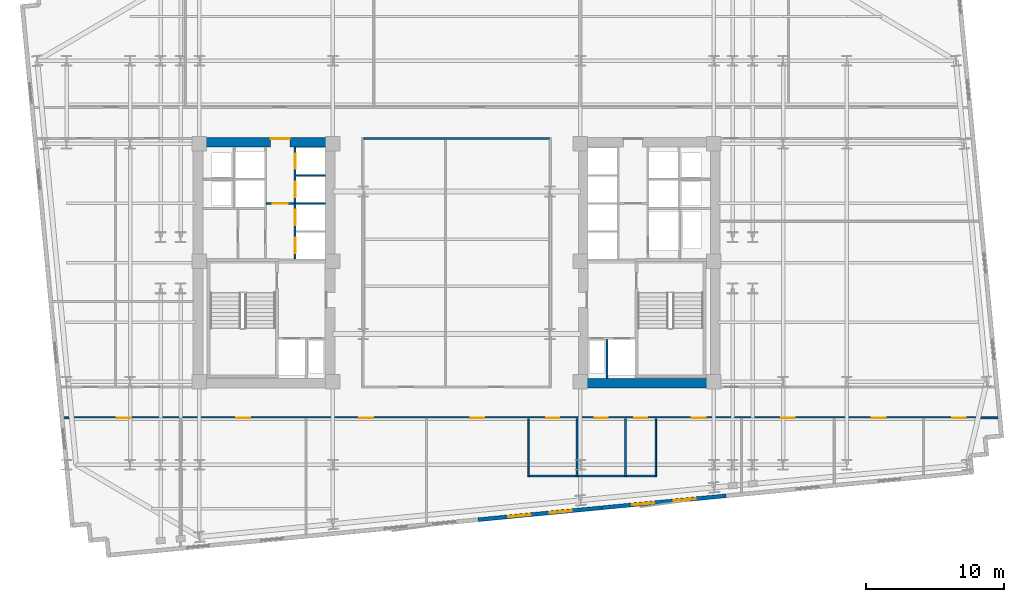
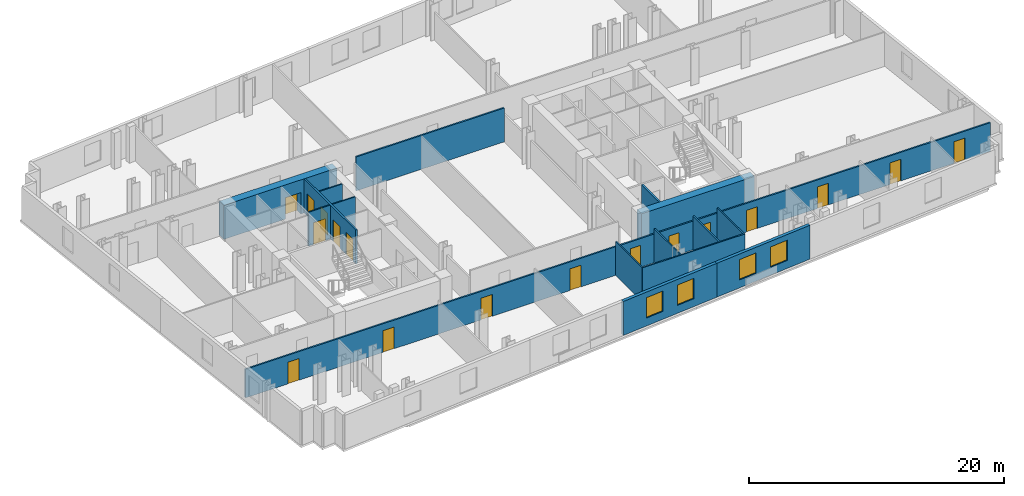
# One storey, part 5 of 10: 17 doors, 16 walls, 4 windows, 21 openings.
"""IFC4 building model written with IfcOpenShell, lengths in metres."""

import ifcopenshell
import ifcopenshell.guid

model = None  # the IFC model being written
_history = None  # IfcOwnerHistory: only IFC2X3 demands one
_inside = {}  # id of a spatial element -> (the spatial element, [elements in it])
_under = {}  # id of a project, library or spatial element -> (it, [spatial elements below it])
_declared = {}  # id of a project -> (the project, [libraries it declares])
_typed = {}  # id of a type object -> (the type object, [elements of that type])
_made_of = {}  # id of a material, layer set ... -> (it, [elements and type objects made of it])


def new_model(schema):
    """Start an empty IFC model of exactly this schema.

    Asked for "IFC4X3", IfcOpenShell would pick the latest addendum, in which some entities
    have other attributes; the version numbers below select the first issue.
    IFC2X3 requires an IfcOwnerHistory on every rooted entity: one is made here for all.
    """
    global model, _history
    if schema == "IFC4X3":
        model = ifcopenshell.file(schema_version=(4, 3, 0, 0))
    else:
        model = ifcopenshell.file(schema=schema)
    _inside.clear()
    _under.clear()
    _declared.clear()
    _typed.clear()
    _made_of.clear()
    _history = None
    if model.schema == "IFC2X3":
        org = make("IfcOrganization", Name="unknown")
        user = make(
            "IfcPersonAndOrganization",
            ThePerson=make("IfcPerson", FamilyName="unknown"),
            TheOrganization=org,
        )
        app = make(
            "IfcApplication",
            ApplicationDeveloper=org,
            Version="unknown",
            ApplicationFullName="unknown",
            ApplicationIdentifier="unknown",
        )
        _history = make(
            "IfcOwnerHistory",
            OwningUser=user,
            OwningApplication=app,
            ChangeAction="ADDED",
            CreationDate=0,
        )
    return model


def make(cls, **values):
    """One entity of the class cls with the attributes given. An attribute that is None is left unset."""
    return model.create_entity(
        cls, **{name: value for name, value in values.items() if value is not None}
    )


def rooted(cls, **values):
    """An entity with a GlobalId (a new one), such as an element, a storey or a relation."""
    return make(cls, GlobalId=ifcopenshell.guid.new(), OwnerHistory=_history, **values)


def si_unit(unit_type, name, prefix=None):
    """IfcSIUnit, for example si_unit("LENGTHUNIT", "METRE", prefix="MILLI")."""
    return make("IfcSIUnit", UnitType=unit_type, Prefix=prefix, Name=name)


def assignment(units):
    """IfcUnitAssignment: the units of a project."""
    return None if units is None else make("IfcUnitAssignment", Units=units)


def point(xyz):
    """IfcCartesianPoint."""
    return None if xyz is None else make("IfcCartesianPoint", Coordinates=xyz)


def direction(xyz):
    """IfcDirection."""
    return None if xyz is None else make("IfcDirection", DirectionRatios=xyz)


def frame(location, z_axis=None, x_axis=None):
    """IfcAxis2Placement3D, a coordinate frame: its origin and axes. An axis left out is left unset."""
    return make(
        "IfcAxis2Placement3D",
        Location=point(location),
        Axis=direction(z_axis),
        RefDirection=direction(x_axis),
    )


def frame_2d(location, x_axis=None):
    """IfcAxis2Placement2D, a coordinate frame in the plane: its origin and x axis."""
    return make(
        "IfcAxis2Placement2D", Location=point(location), RefDirection=direction(x_axis)
    )


def origin():
    """The frame at (0, 0, 0) with its axes left unset."""
    return frame((0.0, 0.0, 0.0))


def place(relative_to, where):
    """IfcLocalPlacement: puts the frame where relative to a parent placement (None: the world)."""
    return make(
        "IfcLocalPlacement", PlacementRelTo=relative_to, RelativePlacement=where
    )


def context(
    kind, dimensions, precision=None, world=None, true_north=None, identifier=None
):
    """IfcGeometricRepresentationContext, for example the 3D "Model" context."""
    return make(
        "IfcGeometricRepresentationContext",
        ContextIdentifier=identifier,
        ContextType=kind,
        CoordinateSpaceDimension=dimensions,
        Precision=precision,
        WorldCoordinateSystem=world,
        TrueNorth=true_north,
    )


def subcontext(parent, identifier, kind, view, scale=None):
    """IfcGeometricRepresentationSubContext, for example "Body" below "Model"."""
    return make(
        "IfcGeometricRepresentationSubContext",
        ContextIdentifier=identifier,
        ContextType=kind,
        ParentContext=parent,
        TargetScale=scale,
        TargetView=view,
    )


def project(units=None, contexts=None):
    """IfcProject with its units and contexts."""
    return rooted(
        "IfcProject",
        Name="project",
        RepresentationContexts=contexts,
        UnitsInContext=assignment(units),
    )


def spatial(cls, under=None, at=None, **own):
    """A site, building, storey or space (cls), placed at a placement, below another one or the project."""
    s = rooted(cls, ObjectPlacement=at, **own)
    if under is not None:
        _under.setdefault(under.id(), (under, []))[1].append(s)
    return s


def profile(cls, at=None, kind="AREA", **sizes):
    """A parametric profile (cls). Its sizes go by their IFC names, for example OverallWidth=200.0."""
    return make(cls, ProfileType=kind, Position=at, **sizes)


def rectangle(**sizes):
    """IfcRectangleProfileDef."""
    return profile("IfcRectangleProfileDef", **sizes)


def extrude(swept, where, along, depth):
    """IfcExtrudedAreaSolid: the profile swept, set in the frame where, extruded along a direction by depth."""
    return make(
        "IfcExtrudedAreaSolid",
        SweptArea=swept,
        Position=where,
        ExtrudedDirection=direction(along),
        Depth=depth,
    )


def shape(context_of_items, identifier, shape_type, items):
    """IfcShapeRepresentation: the items that make up one representation, for example the "Body"."""
    return make(
        "IfcShapeRepresentation",
        ContextOfItems=context_of_items,
        RepresentationIdentifier=identifier,
        RepresentationType=shape_type,
        Items=items,
    )


def material(Name=None, Category=None):
    """IfcMaterial."""
    return make("IfcMaterial", Name=Name, Category=Category)


def layer(
    of_material, thickness, ventilated=None, Name=None, Category=None, Priority=None
):
    """IfcMaterialLayer: one layer of a wall or slab, of a material (None: an air gap)."""
    return make(
        "IfcMaterialLayer",
        Material=of_material,
        LayerThickness=thickness,
        IsVentilated=ventilated,
        Name=Name,
        Category=Category,
        Priority=Priority,
    )


def layer_set(layers, Name=None):
    """IfcMaterialLayerSet."""
    return make("IfcMaterialLayerSet", MaterialLayers=layers, LayerSetName=Name)


def made_of(thing, what):
    """Note that an element or type object is made of a material, layer set ...; save() writes the relation."""
    if what is not None:
        _made_of.setdefault(what.id(), (what, []))[1].append(thing)
    return thing


def type_object(cls, material=None, **own):
    """A type object (cls), such as IfcWallType, which elements share."""
    return made_of(rooted(cls, **own), material)


def element(
    cls,
    number,
    at=None,
    inside=None,
    cuts=None,
    type_object=None,
    material=None,
    context=None,
    identifier="Body",
    shape_type=None,
    held_by="IfcProductDefinitionShape",
    body=None,
    shapes=None,
    **own,
):
    """One element of the class cls, such as IfcWall. Its Tag is "e" and its number.

    at: its placement. inside: the storey or other place that contains it. cuts: it is an
    opening in that element (IfcRelVoidsElement). A single representation is given by context,
    identifier, shape_type and body (its items); several are given by shapes. held_by: the class
    of the entity that holds the representations. save() writes the other relations.
    """
    e = rooted(cls, Tag="e%d" % number, ObjectPlacement=at, **own)
    if body is not None:
        shapes = [shape(context, identifier, shape_type, body)]
    if shapes is not None:
        e.Representation = make(held_by, Representations=shapes)
    if inside is not None:
        _inside.setdefault(inside.id(), (inside, []))[1].append(e)
    if cuts is not None:
        rooted(
            "IfcRelVoidsElement", RelatingBuildingElement=cuts, RelatedOpeningElement=e
        )
    if type_object is not None:
        _typed.setdefault(type_object.id(), (type_object, []))[1].append(e)
    return made_of(e, material)


def fill(opening, filler):
    """IfcRelFillsElement: the door or window that sits in an opening."""
    return rooted(
        "IfcRelFillsElement",
        RelatingOpeningElement=opening,
        RelatedBuildingElement=filler,
    )


def aggregate(whole, parts):
    """IfcRelAggregates: a whole, such as a stair, and the parts it consists of."""
    return rooted("IfcRelAggregates", RelatingObject=whole, RelatedObjects=parts)


def save(model, path):
    """Write the relations noted so far, then the file.

    IfcRelAggregates (storeys below a building ...), IfcRelContainedInSpatialStructure (elements
    in a storey), IfcRelDefinesByType, IfcRelAssociatesMaterial and IfcRelDeclares: one each for
    every whole, place, type object, material and project.
    """
    for whole, parts in _under.values():
        aggregate(whole, parts)
    for where, things in _inside.values():
        rooted(
            "IfcRelContainedInSpatialStructure",
            RelatedElements=things,
            RelatingStructure=where,
        )
    for kind, things in _typed.values():
        rooted("IfcRelDefinesByType", RelatedObjects=things, RelatingType=kind)
    for what, things in _made_of.values():
        rooted("IfcRelAssociatesMaterial", RelatedObjects=things, RelatingMaterial=what)
    for by, libraries in _declared.values():
        rooted("IfcRelDeclares", RelatingContext=by, RelatedDefinitions=libraries)
    model.write(path)


model = new_model("IFC4")

# Units and contexts
model_context = context("Model", 3, precision=1e-05, world=origin(), true_north=direction((0.0, 1.0)))
body_context = subcontext(model_context, "Body", "Model", "MODEL_VIEW")
ifc_project = project(units=[si_unit("LENGTHUNIT", "METRE"), si_unit("AREAUNIT", "SQUARE_METRE"), si_unit("VOLUMEUNIT", "CUBIC_METRE"), si_unit("PLANEANGLEUNIT", "RADIAN"), si_unit("MASSUNIT", "GRAM", prefix="KILO")], contexts=[model_context])

# Site, building, storey
site_placement = place(None, origin())
site = spatial("IfcSite", under=ifc_project, at=site_placement, CompositionType="ELEMENT")
building_placement = place(site_placement, origin())
building = spatial("IfcBuilding", under=site, at=building_placement, Name="Velakula Bourse", CompositionType="ELEMENT")
storey_placement = place(building_placement, frame((0.0, 0.0, 91.449951171875)))
storey = spatial("IfcBuildingStorey", under=building, at=storey_placement, Name="L24", CompositionType="ELEMENT", Elevation=91.449951171875)

# Wall, opening, door
ifc_material_1 = material(Name="Concrete M70 (fck 70 MPa)", Category="concrete")
ifc_layer_1 = layer(ifc_material_1, 0.699951171875, Name="Concrete M70 (fck 70 MPa)", Category="concrete")
ifc_layer_set_1 = layer_set([ifc_layer_1], Name="Concrete M70 (fck 70 MPa)")
wall_type_1 = type_object("IfcWallType", Name="WL-CORE-700", PredefinedType="SHEAR", material=ifc_layer_set_1)
wall_1_placement = place(storey_placement, frame((-19.050048828125, 8.699951171875, 0.0), z_axis=(0.0, 0.0, 1.0), x_axis=(1.0, 0.0, 0.0)))
wall_1 = element("IfcWall", 1, at=wall_1_placement, inside=storey, type_object=wall_type_1, Name="L24 Core W Shear Wall N", PredefinedType="SHEAR", context=body_context, shape_type="SweptSolid", body=[
    extrude(rectangle(XDim=10.25, YDim=0.699951171875, at=frame_2d((5.125, 0.0))), origin(), (0.0, 0.0, 1.0), 3.27001953125),
])
opening_1_placement = place(wall_1_placement, frame((5.60009765625, 0.0, 0.0)))
opening_1 = element("IfcOpeningElement", 2, at=opening_1_placement, cuts=wall_1, Name="Opening D-LLW", PredefinedType="OPENING", context=body_context, shape_type="SweptSolid", body=[
    extrude(rectangle(XDim=1.39990234375, YDim=2.050048828125, at=frame_2d((0.699951171875, 1.02490234375))), frame((0.0, 0.35986328125, 0.0), z_axis=(0.0, -1.0, 0.0), x_axis=(1.0, 0.0, 0.0)), (0.0, 0.0, 1.0), 0.719970703125),
])
ifc_material_2 = material(Name="Fire-rated hardwood flush architectural door", Category="wood")
door_type_1 = type_object("IfcDoorType", Name="DR-DBL-FD60-1400", OperationType="DOUBLE_DOOR_SINGLE_SWING", PredefinedType="DOOR", material=ifc_material_2)
door_1_placement = place(opening_1_placement, origin())
door_1 = element("IfcDoor", 3, at=door_1_placement, inside=storey, type_object=door_type_1, Name="L24 Core W Lift Lobby Corridor Double Door", OperationType="DOUBLE_DOOR_SINGLE_SWING", OverallHeight=2.050048828125, OverallWidth=1.39990234375, PredefinedType="DOOR", context=body_context, shape_type="SweptSolid", body=[
    extrude(rectangle(XDim=1.39990234375, YDim=2.050048828125, at=frame_2d((0.699951171875, 1.02490234375))), frame((0.0, 0.294921875, 0.0), z_axis=(0.0, -1.0, 0.0), x_axis=(1.0, 0.0, 0.0)), (0.0, 0.0, 1.0), 0.050048828125),
])
fill(opening_1, door_1)

# Wall
wall_2_placement = place(storey_placement, frame((8.800048828125, -8.699951171875, 0.0), z_axis=(0.0, 0.0, 1.0), x_axis=(1.0, 0.0, 0.0)))
element("IfcWall", 4, at=wall_2_placement, inside=storey, type_object=wall_type_1, Name="L24 Core E Shear Wall S", PredefinedType="SHEAR", context=body_context, shape_type="SweptSolid", body=[
    extrude(rectangle(XDim=10.25, YDim=0.699951171875, at=frame_2d((5.125, 0.0))), origin(), (0.0, 0.0, 1.0), 3.27001953125),
])

# Wall, openings, windows
ifc_material_3 = material(Name="Red kilned clay facing brick masonry", Category="masonry")
ifc_layer_2 = layer(ifc_material_3, 0.280029296875, Name="Red kilned clay facing brick masonry", Category="masonry")
ifc_layer_set_2 = layer_set([ifc_layer_2], Name="Red kilned clay facing brick masonry")
wall_type_2 = type_object("IfcWallType", Name="WL-EXT-BRK-280", PredefinedType="STANDARD", material=ifc_layer_set_2)
wall_3_placement = place(storey_placement, frame((10.51513671875, -17.7109375, 0.0), z_axis=(0.0, 0.0, 1.0), x_axis=(-0.995397043619, -0.095836973841, 0.0)))
wall_3 = element("IfcWall", 5, at=wall_3_placement, inside=storey, type_object=wall_type_2, Name="L24 S Brick Spandrel Wall B3", PredefinedType="STANDARD", context=body_context, shape_type="SweptSolid", body=[
    extrude(rectangle(XDim=9.000244140625, YDim=0.280029296875, at=frame_2d((4.5, 0.0))), origin(), (0.0, 0.0, 1.0), 3.25),
])
opening_2_placement = place(wall_3_placement, frame((2.199951171875, 0.0, 0.760009765625)))
opening_2 = element("IfcOpeningElement", 6, at=opening_2_placement, cuts=wall_3, Name="Opening W-02", PredefinedType="OPENING", context=body_context, shape_type="SweptSolid", body=[
    extrude(rectangle(XDim=1.60009765625, YDim=1.949951171875, at=frame_2d((0.800048828125, 0.97509765625))), frame((0.0, 0.14990234375, 0.0), z_axis=(0.0, -1.0, 0.0), x_axis=(1.0, 0.0, 0.0)), (0.0, 0.0, 1.0), 0.300048828125),
])
opening_3_placement = place(wall_3_placement, frame((5.199951171875, 0.0, 0.760009765625)))
opening_3 = element("IfcOpeningElement", 7, at=opening_3_placement, cuts=wall_3, Name="Opening W-02", PredefinedType="OPENING", context=body_context, shape_type="SweptSolid", body=[
    extrude(rectangle(XDim=1.60009765625, YDim=1.949951171875, at=frame_2d((0.800048828125, 0.97509765625))), frame((0.0, 0.14990234375, 0.0), z_axis=(0.0, -1.0, 0.0), x_axis=(1.0, 0.0, 0.0)), (0.0, 0.0, 1.0), 0.300048828125),
])
ifc_material_4 = material(Name="Double-glazed solar-control Low-E glass", Category="glass")
window_type = type_object("IfcWindowType", Name="WIN-TWR-1600x2100", PartitioningType="SINGLE_PANEL", PredefinedType="WINDOW", material=ifc_material_4)
window_1_placement = place(opening_2_placement, origin())
window_1 = element("IfcWindow", 8, at=window_1_placement, inside=storey, type_object=window_type, Name="L24 Deep-Set Recessed Window 1", OverallHeight=1.949951171875, OverallWidth=1.60009765625, PartitioningType="SINGLE_PANEL", PredefinedType="WINDOW", context=body_context, shape_type="SweptSolid", body=[
    extrude(rectangle(XDim=1.60009765625, YDim=1.949951171875, at=frame_2d((0.800048828125, 0.97509765625))), frame((0.0, 0.030029296875, 0.0), z_axis=(0.0, -1.0, 0.0), x_axis=(1.0, 0.0, 0.0)), (0.0, 0.0, 1.0), 0.06005859375),
])
fill(opening_2, window_1)
window_2_placement = place(opening_3_placement, origin())
window_2 = element("IfcWindow", 9, at=window_2_placement, inside=storey, type_object=window_type, Name="L24 Deep-Set Recessed Window 2", OverallHeight=1.949951171875, OverallWidth=1.60009765625, PartitioningType="SINGLE_PANEL", PredefinedType="WINDOW", context=body_context, shape_type="SweptSolid", body=[
    extrude(rectangle(XDim=1.60009765625, YDim=1.949951171875, at=frame_2d((0.800048828125, 0.97509765625))), frame((0.0, 0.030029296875, 0.0), z_axis=(0.0, -1.0, 0.0), x_axis=(1.0, 0.0, 0.0)), (0.0, 0.0, 1.0), 0.06005859375),
])
fill(opening_3, window_2)

wall_4_placement = place(storey_placement, frame((19.4736328125, -16.848388671875, 0.0), z_axis=(0.0, 0.0, 1.0), x_axis=(-0.995396794462, -0.09583956164, 0.0)))
wall_4 = element("IfcWall", 10, at=wall_4_placement, inside=storey, type_object=wall_type_2, Name="L24 S Brick Spandrel Wall B4", PredefinedType="STANDARD", context=body_context, shape_type="SweptSolid", body=[
    extrude(rectangle(XDim=9.0, YDim=0.280029296875, at=frame_2d((4.5, 0.0))), origin(), (0.0, 0.0, 1.0), 3.25),
])
opening_4_placement = place(wall_4_placement, frame((2.199951171875, 0.0, 0.760009765625)))
opening_4 = element("IfcOpeningElement", 11, at=opening_4_placement, cuts=wall_4, Name="Opening W-02", PredefinedType="OPENING", context=body_context, shape_type="SweptSolid", body=[
    extrude(rectangle(XDim=1.60009765625, YDim=1.949951171875, at=frame_2d((0.800048828125, 0.97509765625))), frame((0.0, 0.14990234375, 0.0), z_axis=(0.0, -1.0, 0.0), x_axis=(1.0, 0.0, 0.0)), (0.0, 0.0, 1.0), 0.300048828125),
])
opening_5_placement = place(wall_4_placement, frame((5.199951171875, 0.0, 0.760009765625)))
opening_5 = element("IfcOpeningElement", 12, at=opening_5_placement, cuts=wall_4, Name="Opening W-02", PredefinedType="OPENING", context=body_context, shape_type="SweptSolid", body=[
    extrude(rectangle(XDim=1.60009765625, YDim=1.949951171875, at=frame_2d((0.800048828125, 0.97509765625))), frame((0.0, 0.14990234375, 0.0), z_axis=(0.0, -1.0, 0.0), x_axis=(1.0, 0.0, 0.0)), (0.0, 0.0, 1.0), 0.300048828125),
])
window_3_placement = place(opening_4_placement, origin())
window_3 = element("IfcWindow", 13, at=window_3_placement, inside=storey, type_object=window_type, Name="L24 Deep-Set Recessed Window 1", OverallHeight=1.949951171875, OverallWidth=1.60009765625, PartitioningType="SINGLE_PANEL", PredefinedType="WINDOW", context=body_context, shape_type="SweptSolid", body=[
    extrude(rectangle(XDim=1.60009765625, YDim=1.949951171875, at=frame_2d((0.800048828125, 0.97509765625))), frame((0.0, 0.030029296875, 0.0), z_axis=(0.0, -1.0, 0.0), x_axis=(1.0, 0.0, 0.0)), (0.0, 0.0, 1.0), 0.06005859375),
])
fill(opening_4, window_3)
window_4_placement = place(opening_5_placement, origin())
window_4 = element("IfcWindow", 14, at=window_4_placement, inside=storey, type_object=window_type, Name="L24 Deep-Set Recessed Window 2", OverallHeight=1.949951171875, OverallWidth=1.60009765625, PartitioningType="SINGLE_PANEL", PredefinedType="WINDOW", context=body_context, shape_type="SweptSolid", body=[
    extrude(rectangle(XDim=1.60009765625, YDim=1.949951171875, at=frame_2d((0.800048828125, 0.97509765625))), frame((0.0, 0.030029296875, 0.0), z_axis=(0.0, -1.0, 0.0), x_axis=(1.0, 0.0, 0.0)), (0.0, 0.0, 1.0), 0.06005859375),
])
fill(opening_5, window_4)

# Wall, opening, door
ifc_material_5 = material(Name="Fire-rated double-layer gypsum drywall partition", Category="gypsum")
ifc_layer_3 = layer(ifc_material_5, 0.1201171875, Name="Fire-rated double-layer gypsum drywall partition", Category="gypsum")
ifc_layer_set_3 = layer_set([ifc_layer_3], Name="Fire-rated double-layer gypsum drywall partition")
wall_type_3 = type_object("IfcWallType", Name="WL-PART-120", PredefinedType="STANDARD", material=ifc_layer_set_3)
wall_5_placement = place(storey_placement, frame((-13.75, 4.280029296875, 0.0), z_axis=(0.0, 0.0, 1.0), x_axis=(1.0, 0.0, 0.0)))
wall_5 = element("IfcWall", 15, at=wall_5_placement, inside=storey, type_object=wall_type_3, Name="L24 Interior Partition WL-CRW-L24-LL-K2", PredefinedType="STANDARD", context=body_context, shape_type="SweptSolid", body=[
    extrude(rectangle(XDim=2.0, YDim=0.1201171875, at=frame_2d((1.0, 0.0))), origin(), (0.0, 0.0, 1.0), 3.25),
])
opening_6_placement = place(wall_5_placement, frame((0.449951171875, 0.0, 0.0)))
opening_6 = element("IfcOpeningElement", 16, at=opening_6_placement, cuts=wall_5, Name="Opening D-LK2", PredefinedType="OPENING", context=body_context, shape_type="SweptSolid", body=[
    extrude(rectangle(XDim=1.10009765625, YDim=2.10009765625, at=frame_2d((0.550048828125, 1.050048828125))), frame((0.0, 0.070068359375, 0.0), z_axis=(0.0, -1.0, 0.0), x_axis=(1.0, 0.0, 0.0)), (0.0, 0.0, 1.0), 0.14013671875),
])
door_type_2 = type_object("IfcDoorType", Name="DR-FD60-1100x2100", OperationType="NOTDEFINED", PredefinedType="DOOR", material=ifc_material_2)
door_2_placement = place(opening_6_placement, origin())
door_2 = element("IfcDoor", 17, at=door_2_placement, inside=storey, type_object=door_type_2, Name="L24 Core W Lift Lobby Zone Door", OperationType="SINGLE_SWING_RIGHT", OverallHeight=2.10009765625, OverallWidth=1.10009765625, PredefinedType="DOOR", context=body_context, shape_type="SweptSolid", body=[
    extrude(rectangle(XDim=1.10009765625, YDim=2.10009765625, at=frame_2d((0.550048828125, 1.050048828125))), frame((0.0, 0.02490234375, 0.0), z_axis=(0.0, -1.0, 0.0), x_axis=(1.0, 0.0, 0.0)), (0.0, 0.0, 1.0), 0.050048828125),
])
fill(opening_6, door_2)

# Walls
for number, where, z_axis, x_axis, name in (
    (18, (-11.60009765625, 4.284912109375, 0.0), (0.0, 0.0, 1.0), (1.0, 0.0, 0.0), "L24 Interior Partition WL-CRW-L24-BDIV-1"),
    (19, (-11.60009765625, 6.31494140625, 0.0), (0.0, 0.0, 1.0), (1.0, 0.0, 0.0), "L24 Interior Partition WL-CRW-L24-BDIV-2"),
):
    element("IfcWall", number, at=place(storey_placement, frame(where, z_axis=z_axis, x_axis=x_axis)), inside=storey, type_object=wall_type_3, Name=name, PredefinedType="STANDARD", context=body_context, shape_type="SweptSolid", body=[
        extrude(rectangle(XDim=2.10009765625, YDim=0.110107421875, at=frame_2d((1.050048828125, 0.0))), origin(), (0.0, 0.0, 1.0), 3.25),
    ])
wall_6_placement = place(storey_placement, frame((5.139892578125, -15.419921875, 0.0), z_axis=(0.0, 0.0, 1.0), x_axis=(1.0, 0.0, 0.0)))
element("IfcWall", 20, at=wall_6_placement, inside=storey, type_object=wall_type_3, Name="L24 Interior Partition WL-WC-L24-BACK", PredefinedType="STANDARD", context=body_context, shape_type="SweptSolid", body=[
    extrude(rectangle(XDim=9.320068359375, YDim=0.1201171875, at=frame_2d((4.66015625, 0.0))), origin(), (0.0, 0.0, 1.0), 3.25),
])
for number, where, z_axis, x_axis, name in (
    (21, (5.199951171875, -15.419921875, 0.0), (0.0, 0.0, 1.0), (0.0, 1.0, 0.0), "L24 Interior Partition WL-WC-L24-V1"),
    (22, (8.699951171875, -15.419921875, 0.0), (0.0, 0.0, 1.0), (0.0, 1.0, 0.0), "L24 Interior Partition WL-WC-L24-V2"),
    (23, (12.199951171875, -15.419921875, 0.0), (0.0, 0.0, 1.0), (0.0, 1.0, 0.0), "L24 Interior Partition WL-WC-L24-V3"),
    (24, (14.39990234375, -15.419921875, 0.0), (0.0, 0.0, 1.0), (0.0, 1.0, 0.0), "L24 Interior Partition WL-WC-L24-V4"),
):
    element("IfcWall", number, at=place(storey_placement, frame(where, z_axis=z_axis, x_axis=x_axis)), inside=storey, type_object=wall_type_3, Name=name, PredefinedType="STANDARD", context=body_context, shape_type="SweptSolid", body=[
        extrude(rectangle(XDim=4.1298828125, YDim=0.1201171875, at=frame_2d((2.06494140625, 0.0))), origin(), (0.0, 0.0, 1.0), 3.25),
    ])

# Wall, openings, doors
ifc_layer_4 = layer(ifc_material_5, 0.139892578125, Name="Fire-rated double-layer gypsum drywall partition", Category="gypsum")
ifc_layer_set_4 = layer_set([ifc_layer_4], Name="Fire-rated double-layer gypsum drywall partition")
wall_type_4 = type_object("IfcWallType", Name="WL-PART-140", PredefinedType="STANDARD", material=ifc_layer_set_4)
wall_7_placement = place(storey_placement, frame((-28.40625, -11.219970703125, 0.0), z_axis=(0.0, 0.0, 1.0), x_axis=(1.0, 0.0, 0.0)))
wall_7 = element("IfcWall", 25, at=wall_7_placement, inside=storey, type_object=wall_type_4, Name="L24 Interior Partition WL-INT-L24-S-CORR", PredefinedType="STANDARD", context=body_context, shape_type="SweptSolid", body=[
    extrude(rectangle(XDim=67.551025390625, YDim=0.139892578125, at=frame_2d((33.775390625, 0.0))), origin(), (0.0, 0.0, 1.0), 2.7451171875),
])
opening_7_placement = place(wall_7_placement, frame((34.896240234375, 0.0, 0.0)))
opening_7 = element("IfcOpeningElement", 26, at=opening_7_placement, cuts=wall_7, Name="Opening D-WT1", PredefinedType="OPENING", context=body_context, shape_type="SweptSolid", body=[
    extrude(rectangle(XDim=0.919921875, YDim=2.080078125, at=frame_2d((0.4599609375, 1.0400390625))), frame((0.0, 0.079833984375, 0.0), z_axis=(0.0, -1.0, 0.0), x_axis=(1.0, 0.0, 0.0)), (0.0, 0.0, 1.0), 0.159912109375),
])
opening_8_placement = place(wall_7_placement, frame((38.396240234375, 0.0, 0.0)))
opening_8 = element("IfcOpeningElement", 27, at=opening_8_placement, cuts=wall_7, Name="Opening D-WT1", PredefinedType="OPENING", context=body_context, shape_type="SweptSolid", body=[
    extrude(rectangle(XDim=0.919921875, YDim=2.080078125, at=frame_2d((0.4599609375, 1.0400390625))), frame((0.0, 0.079833984375, 0.0), z_axis=(0.0, -1.0, 0.0), x_axis=(1.0, 0.0, 0.0)), (0.0, 0.0, 1.0), 0.159912109375),
])
opening_9_placement = place(wall_7_placement, frame((41.246337890625, 0.0, 0.0)))
opening_9 = element("IfcOpeningElement", 28, at=opening_9_placement, cuts=wall_7, Name="Opening D-WC1", PredefinedType="OPENING", context=body_context, shape_type="SweptSolid", body=[
    extrude(rectangle(XDim=0.919921875, YDim=2.080078125, at=frame_2d((0.4599609375, 1.0400390625))), frame((0.0, 0.079833984375, 0.0), z_axis=(0.0, -1.0, 0.0), x_axis=(1.0, 0.0, 0.0)), (0.0, 0.0, 1.0), 0.159912109375),
])
opening_10_placement = place(wall_7_placement, frame((3.85205078125, 0.0, 0.0)))
opening_10 = element("IfcOpeningElement", 29, at=opening_10_placement, cuts=wall_7, Name="Opening D-OF1", PredefinedType="OPENING", context=body_context, shape_type="SweptSolid", body=[
    extrude(rectangle(XDim=1.0, YDim=2.080078125, at=frame_2d((0.5, 1.0400390625))), frame((0.0, 0.079833984375, 0.0), z_axis=(0.0, -1.0, 0.0), x_axis=(1.0, 0.0, 0.0)), (0.0, 0.0, 1.0), 0.159912109375),
])
opening_11_placement = place(wall_7_placement, frame((12.479736328125, 0.0, 0.0)))
opening_11 = element("IfcOpeningElement", 30, at=opening_11_placement, cuts=wall_7, Name="Opening D-OF1", PredefinedType="OPENING", context=body_context, shape_type="SweptSolid", body=[
    extrude(rectangle(XDim=1.0, YDim=2.080078125, at=frame_2d((0.5, 1.0400390625))), frame((0.0, 0.079833984375, 0.0), z_axis=(0.0, -1.0, 0.0), x_axis=(1.0, 0.0, 0.0)), (0.0, 0.0, 1.0), 0.159912109375),
])
opening_12_placement = place(wall_7_placement, frame((21.3671875, 0.0, 0.0)))
opening_12 = element("IfcOpeningElement", 31, at=opening_12_placement, cuts=wall_7, Name="Opening D-OF1", PredefinedType="OPENING", context=body_context, shape_type="SweptSolid", body=[
    extrude(rectangle(XDim=1.0, YDim=2.080078125, at=frame_2d((0.5, 1.0400390625))), frame((0.0, 0.079833984375, 0.0), z_axis=(0.0, -1.0, 0.0), x_axis=(1.0, 0.0, 0.0)), (0.0, 0.0, 1.0), 0.159912109375),
])
opening_13_placement = place(wall_7_placement, frame((29.416748046875, 0.0, 0.0)))
opening_13 = element("IfcOpeningElement", 32, at=opening_13_placement, cuts=wall_7, Name="Opening D-OF1", PredefinedType="OPENING", context=body_context, shape_type="SweptSolid", body=[
    extrude(rectangle(XDim=1.0, YDim=2.080078125, at=frame_2d((0.5, 1.0400390625))), frame((0.0, 0.079833984375, 0.0), z_axis=(0.0, -1.0, 0.0), x_axis=(1.0, 0.0, 0.0)), (0.0, 0.0, 1.0), 0.159912109375),
])
opening_14_placement = place(wall_7_placement, frame((45.4052734375, 0.0, 0.0)))
opening_14 = element("IfcOpeningElement", 33, at=opening_14_placement, cuts=wall_7, Name="Opening D-OF1", PredefinedType="OPENING", context=body_context, shape_type="SweptSolid", body=[
    extrude(rectangle(XDim=1.0, YDim=2.080078125, at=frame_2d((0.5, 1.0400390625))), frame((0.0, 0.079833984375, 0.0), z_axis=(0.0, -1.0, 0.0), x_axis=(1.0, 0.0, 0.0)), (0.0, 0.0, 1.0), 0.159912109375),
])
opening_15_placement = place(wall_7_placement, frame((51.851806640625, 0.0, 0.0)))
opening_15 = element("IfcOpeningElement", 34, at=opening_15_placement, cuts=wall_7, Name="Opening D-OF1", PredefinedType="OPENING", context=body_context, shape_type="SweptSolid", body=[
    extrude(rectangle(XDim=1.0, YDim=2.080078125, at=frame_2d((0.5, 1.0400390625))), frame((0.0, 0.079833984375, 0.0), z_axis=(0.0, -1.0, 0.0), x_axis=(1.0, 0.0, 0.0)), (0.0, 0.0, 1.0), 0.159912109375),
])
opening_16_placement = place(wall_7_placement, frame((58.42236328125, 0.0, 0.0)))
opening_16 = element("IfcOpeningElement", 35, at=opening_16_placement, cuts=wall_7, Name="Opening D-OF1", PredefinedType="OPENING", context=body_context, shape_type="SweptSolid", body=[
    extrude(rectangle(XDim=1.0, YDim=2.080078125, at=frame_2d((0.5, 1.0400390625))), frame((0.0, 0.079833984375, 0.0), z_axis=(0.0, -1.0, 0.0), x_axis=(1.0, 0.0, 0.0)), (0.0, 0.0, 1.0), 0.159912109375),
])
opening_17_placement = place(wall_7_placement, frame((64.22216796875, 0.0, 0.0)))
opening_17 = element("IfcOpeningElement", 36, at=opening_17_placement, cuts=wall_7, Name="Opening D-OF1", PredefinedType="OPENING", context=body_context, shape_type="SweptSolid", body=[
    extrude(rectangle(XDim=1.0, YDim=2.080078125, at=frame_2d((0.5, 1.0400390625))), frame((0.0, 0.079833984375, 0.0), z_axis=(0.0, -1.0, 0.0), x_axis=(1.0, 0.0, 0.0)), (0.0, 0.0, 1.0), 0.159912109375),
])
door_type_3 = type_object("IfcDoorType", Name="DR-OFF-1000", OperationType="NOTDEFINED", PredefinedType="DOOR", material=ifc_material_2)
door_3_placement = place(opening_10_placement, origin())
door_3 = element("IfcDoor", 37, at=door_3_placement, inside=storey, type_object=door_type_3, Name="L24 Sky-Garden Veranda Lounge Door", OperationType="SINGLE_SWING_LEFT", OverallHeight=2.080078125, OverallWidth=1.0, PredefinedType="DOOR", context=body_context, shape_type="SweptSolid", body=[
    extrude(rectangle(XDim=1.0, YDim=2.080078125, at=frame_2d((0.5, 1.0400390625))), frame((0.0, 0.02490234375, 0.0), z_axis=(0.0, -1.0, 0.0), x_axis=(1.0, 0.0, 0.0)), (0.0, 0.0, 1.0), 0.050048828125),
])
fill(opening_10, door_3)
door_4_placement = place(opening_11_placement, origin())
door_4 = element("IfcDoor", 38, at=door_4_placement, inside=storey, type_object=door_type_3, Name="L24 General Counsel Office Door", OperationType="SINGLE_SWING_RIGHT", OverallHeight=2.080078125, OverallWidth=1.0, PredefinedType="DOOR", context=body_context, shape_type="SweptSolid", body=[
    extrude(rectangle(XDim=1.0, YDim=2.080078125, at=frame_2d((0.5, 1.0400390625))), frame((0.0, 0.02490234375, 0.0), z_axis=(0.0, -1.0, 0.0), x_axis=(1.0, 0.0, 0.0)), (0.0, 0.0, 1.0), 0.050048828125),
])
fill(opening_11, door_4)
door_5_placement = place(opening_12_placement, origin())
door_5 = element("IfcDoor", 39, at=door_5_placement, inside=storey, type_object=door_type_3, Name="L24 Yield Curve Seminar Room Door", OperationType="SINGLE_SWING_LEFT", OverallHeight=2.080078125, OverallWidth=1.0, PredefinedType="DOOR", context=body_context, shape_type="SweptSolid", body=[
    extrude(rectangle(XDim=1.0, YDim=2.080078125, at=frame_2d((0.5, 1.0400390625))), frame((0.0, 0.02490234375, 0.0), z_axis=(0.0, -1.0, 0.0), x_axis=(1.0, 0.0, 0.0)), (0.0, 0.0, 1.0), 0.050048828125),
])
fill(opening_12, door_5)
door_6_placement = place(opening_13_placement, origin())
door_6 = element("IfcDoor", 40, at=door_6_placement, inside=storey, type_object=door_type_3, Name="L24 Traders Pantry Door", OperationType="SINGLE_SWING_RIGHT", OverallHeight=2.080078125, OverallWidth=1.0, PredefinedType="DOOR", context=body_context, shape_type="SweptSolid", body=[
    extrude(rectangle(XDim=1.0, YDim=2.080078125, at=frame_2d((0.5, 1.0400390625))), frame((0.0, 0.02490234375, 0.0), z_axis=(0.0, -1.0, 0.0), x_axis=(1.0, 0.0, 0.0)), (0.0, 0.0, 1.0), 0.050048828125),
])
fill(opening_13, door_6)
door_7_placement = place(opening_14_placement, origin())
door_7 = element("IfcDoor", 41, at=door_7_placement, inside=storey, type_object=door_type_3, Name="L24 Prime-Brokerage Dealing Workspace Door", OperationType="SINGLE_SWING_LEFT", OverallHeight=2.080078125, OverallWidth=1.0, PredefinedType="DOOR", context=body_context, shape_type="SweptSolid", body=[
    extrude(rectangle(XDim=1.0, YDim=2.080078125, at=frame_2d((0.5, 1.0400390625))), frame((0.0, 0.02490234375, 0.0), z_axis=(0.0, -1.0, 0.0), x_axis=(1.0, 0.0, 0.0)), (0.0, 0.0, 1.0), 0.050048828125),
])
fill(opening_14, door_7)
door_8_placement = place(opening_15_placement, origin())
door_8 = element("IfcDoor", 42, at=door_8_placement, inside=storey, type_object=door_type_3, Name="L24 Primary Dealer Office Door", OperationType="SINGLE_SWING_RIGHT", OverallHeight=2.080078125, OverallWidth=1.0, PredefinedType="DOOR", context=body_context, shape_type="SweptSolid", body=[
    extrude(rectangle(XDim=1.0, YDim=2.080078125, at=frame_2d((0.5, 1.0400390625))), frame((0.0, 0.02490234375, 0.0), z_axis=(0.0, -1.0, 0.0), x_axis=(1.0, 0.0, 0.0)), (0.0, 0.0, 1.0), 0.050048828125),
])
fill(opening_15, door_8)
door_9_placement = place(opening_16_placement, origin())
door_9 = element("IfcDoor", 43, at=door_9_placement, inside=storey, type_object=door_type_3, Name="L24 Sky-Garden Veranda Lounge Door", OperationType="SINGLE_SWING_LEFT", OverallHeight=2.080078125, OverallWidth=1.0, PredefinedType="DOOR", context=body_context, shape_type="SweptSolid", body=[
    extrude(rectangle(XDim=1.0, YDim=2.080078125, at=frame_2d((0.5, 1.0400390625))), frame((0.0, 0.02490234375, 0.0), z_axis=(0.0, -1.0, 0.0), x_axis=(1.0, 0.0, 0.0)), (0.0, 0.0, 1.0), 0.050048828125),
])
fill(opening_16, door_9)
door_10_placement = place(opening_17_placement, origin())
door_10 = element("IfcDoor", 44, at=door_10_placement, inside=storey, type_object=door_type_3, Name="L24 General Counsel Office Door", OperationType="SINGLE_SWING_RIGHT", OverallHeight=2.080078125, OverallWidth=1.0, PredefinedType="DOOR", context=body_context, shape_type="SweptSolid", body=[
    extrude(rectangle(XDim=1.0, YDim=2.080078125, at=frame_2d((0.5, 1.0400390625))), frame((0.0, 0.02490234375, 0.0), z_axis=(0.0, -1.0, 0.0), x_axis=(1.0, 0.0, 0.0)), (0.0, 0.0, 1.0), 0.050048828125),
])
fill(opening_17, door_10)
door_type_4 = type_object("IfcDoorType", Name="DR-WC-950", OperationType="NOTDEFINED", PredefinedType="DOOR", material=ifc_material_2)
door_11_placement = place(opening_7_placement, origin())
door_11 = element("IfcDoor", 45, at=door_11_placement, inside=storey, type_object=door_type_4, Name="L24 Male Staff Toilet Door", OperationType="SINGLE_SWING_RIGHT", OverallHeight=2.080078125, OverallWidth=0.919921875, PredefinedType="DOOR", context=body_context, shape_type="SweptSolid", body=[
    extrude(rectangle(XDim=0.919921875, YDim=2.080078125, at=frame_2d((0.4599609375, 1.0400390625))), frame((0.0, 0.02490234375, 0.0), z_axis=(0.0, -1.0, 0.0), x_axis=(1.0, 0.0, 0.0)), (0.0, 0.0, 1.0), 0.050048828125),
])
fill(opening_7, door_11)
door_12_placement = place(opening_8_placement, origin())
door_12 = element("IfcDoor", 46, at=door_12_placement, inside=storey, type_object=door_type_4, Name="L24 Female Staff Toilet Door", OperationType="SINGLE_SWING_LEFT", OverallHeight=2.080078125, OverallWidth=0.919921875, PredefinedType="DOOR", context=body_context, shape_type="SweptSolid", body=[
    extrude(rectangle(XDim=0.919921875, YDim=2.080078125, at=frame_2d((0.4599609375, 1.0400390625))), frame((0.0, 0.02490234375, 0.0), z_axis=(0.0, -1.0, 0.0), x_axis=(1.0, 0.0, 0.0)), (0.0, 0.0, 1.0), 0.050048828125),
])
fill(opening_8, door_12)
door_13_placement = place(opening_9_placement, origin())
door_13 = element("IfcDoor", 47, at=door_13_placement, inside=storey, type_object=door_type_4, Name="L24 Accessible WC Door", OperationType="SINGLE_SWING_RIGHT", OverallHeight=2.080078125, OverallWidth=0.919921875, PredefinedType="DOOR", context=body_context, shape_type="SweptSolid", body=[
    extrude(rectangle(XDim=0.919921875, YDim=2.080078125, at=frame_2d((0.4599609375, 1.0400390625))), frame((0.0, 0.02490234375, 0.0), z_axis=(0.0, -1.0, 0.0), x_axis=(1.0, 0.0, 0.0)), (0.0, 0.0, 1.0), 0.050048828125),
])
fill(opening_9, door_13)

# Wall
wall_8_placement = place(storey_placement, frame((-6.7099609375, 8.97998046875, 0.0), z_axis=(0.0, 0.0, 1.0), x_axis=(1.0, 0.0, 0.0)))
element("IfcWall", 48, at=wall_8_placement, inside=storey, type_object=wall_type_4, Name="L24 Interior Partition WL-INT-L24-MID-N", PredefinedType="STANDARD", context=body_context, shape_type="SweptSolid", body=[
    extrude(rectangle(XDim=13.419921875, YDim=0.139892578125, at=frame_2d((6.7099609375, 0.0))), origin(), (0.0, 0.0, 1.0), 3.25),
])

# Wall, openings, doors
ifc_material_6 = material(Name="Autoclaved aerated concrete blockwork masonry", Category="masonry")
ifc_layer_5 = layer(ifc_material_6, 0.14990234375, Name="Autoclaved aerated concrete blockwork masonry", Category="masonry")
ifc_layer_set_5 = layer_set([ifc_layer_5], Name="Autoclaved aerated concrete blockwork masonry")
wall_type_5 = type_object("IfcWallType", Name="WL-SHAFT-150", PredefinedType="STANDARD", material=ifc_layer_set_5)
wall_9_placement = place(storey_placement, frame((-11.675048828125, 0.27001953125, 0.0), z_axis=(0.0, 0.0, 1.0), x_axis=(0.0, 1.0, 0.0)))
wall_9 = element("IfcWall", 49, at=wall_9_placement, inside=storey, type_object=wall_type_5, Name="L24 Interior Partition WL-CRW-L24-BANK-F", PredefinedType="STANDARD", context=body_context, shape_type="SweptSolid", body=[
    extrude(rectangle(XDim=8.080078125, YDim=0.14990234375, at=frame_2d((4.0400390625, 0.0))), origin(), (0.0, 0.0, 1.0), 3.25),
])
opening_18_placement = place(wall_9_placement, frame((0.419921875, 0.0, 0.0)))
opening_18 = element("IfcOpeningElement", 50, at=opening_18_placement, cuts=wall_9, Name="Opening LD-P1", PredefinedType="OPENING", context=body_context, shape_type="SweptSolid", body=[
    extrude(rectangle(XDim=1.10009765625, YDim=2.10009765625, at=frame_2d((0.550048828125, 1.050048828125))), frame((0.0, 0.0849609375, 0.0), z_axis=(0.0, -1.0, 0.0), x_axis=(1.0, 0.0, 0.0)), (0.0, 0.0, 1.0), 0.169921875),
])
opening_19_placement = place(wall_9_placement, frame((2.449951171875, 0.0, 0.0)))
opening_19 = element("IfcOpeningElement", 51, at=opening_19_placement, cuts=wall_9, Name="Opening LD-P2", PredefinedType="OPENING", context=body_context, shape_type="SweptSolid", body=[
    extrude(rectangle(XDim=1.10009765625, YDim=2.10009765625, at=frame_2d((0.550048828125, 1.050048828125))), frame((0.0, 0.0849609375, 0.0), z_axis=(0.0, -1.0, 0.0), x_axis=(1.0, 0.0, 0.0)), (0.0, 0.0, 1.0), 0.169921875),
])
opening_20_placement = place(wall_9_placement, frame((4.47998046875, 0.0, 0.0)))
opening_20 = element("IfcOpeningElement", 52, at=opening_20_placement, cuts=wall_9, Name="Opening LD-P3", PredefinedType="OPENING", context=body_context, shape_type="SweptSolid", body=[
    extrude(rectangle(XDim=1.10009765625, YDim=2.10009765625, at=frame_2d((0.550048828125, 1.050048828125))), frame((0.0, 0.0849609375, 0.0), z_axis=(0.0, -1.0, 0.0), x_axis=(1.0, 0.0, 0.0)), (0.0, 0.0, 1.0), 0.169921875),
])
opening_21_placement = place(wall_9_placement, frame((6.510009765625, 0.0, 0.0)))
opening_21 = element("IfcOpeningElement", 53, at=opening_21_placement, cuts=wall_9, Name="Opening LD-P4", PredefinedType="OPENING", context=body_context, shape_type="SweptSolid", body=[
    extrude(rectangle(XDim=1.10009765625, YDim=2.10009765625, at=frame_2d((0.550048828125, 1.050048828125))), frame((0.0, 0.0849609375, 0.0), z_axis=(0.0, -1.0, 0.0), x_axis=(1.0, 0.0, 0.0)), (0.0, 0.0, 1.0), 0.169921875),
])
ifc_material_7 = material(Name="Brushed grade 316 stainless steel", Category="steel")
door_type_5 = type_object("IfcDoorType", Name="DR-SLIDE-LD-1100", OperationType="DOUBLE_DOOR_SLIDING", PredefinedType="DOOR", material=ifc_material_7)
door_14_placement = place(opening_18_placement, origin())
door_14 = element("IfcDoor", 54, at=door_14_placement, inside=storey, type_object=door_type_5, Name="L24 Passenger Lift P1 Sliding Landing Door", OperationType="DOUBLE_DOOR_SLIDING", OverallHeight=2.10009765625, OverallWidth=1.10009765625, PredefinedType="DOOR", context=body_context, shape_type="SweptSolid", body=[
    extrude(rectangle(XDim=1.10009765625, YDim=2.10009765625, at=frame_2d((0.550048828125, 1.050048828125))), frame((0.0, 0.02490234375, 0.0), z_axis=(0.0, -1.0, 0.0), x_axis=(1.0, 0.0, 0.0)), (0.0, 0.0, 1.0), 0.050048828125),
])
fill(opening_18, door_14)
door_15_placement = place(opening_19_placement, origin())
door_15 = element("IfcDoor", 55, at=door_15_placement, inside=storey, type_object=door_type_5, Name="L24 Passenger Lift P2 Sliding Landing Door", OperationType="DOUBLE_DOOR_SLIDING", OverallHeight=2.10009765625, OverallWidth=1.10009765625, PredefinedType="DOOR", context=body_context, shape_type="SweptSolid", body=[
    extrude(rectangle(XDim=1.10009765625, YDim=2.10009765625, at=frame_2d((0.550048828125, 1.050048828125))), frame((0.0, 0.02490234375, 0.0), z_axis=(0.0, -1.0, 0.0), x_axis=(1.0, 0.0, 0.0)), (0.0, 0.0, 1.0), 0.050048828125),
])
fill(opening_19, door_15)
door_16_placement = place(opening_20_placement, origin())
door_16 = element("IfcDoor", 56, at=door_16_placement, inside=storey, type_object=door_type_5, Name="L24 Passenger Lift P3 Sliding Landing Door", OperationType="DOUBLE_DOOR_SLIDING", OverallHeight=2.10009765625, OverallWidth=1.10009765625, PredefinedType="DOOR", context=body_context, shape_type="SweptSolid", body=[
    extrude(rectangle(XDim=1.10009765625, YDim=2.10009765625, at=frame_2d((0.550048828125, 1.050048828125))), frame((0.0, 0.02490234375, 0.0), z_axis=(0.0, -1.0, 0.0), x_axis=(1.0, 0.0, 0.0)), (0.0, 0.0, 1.0), 0.050048828125),
])
fill(opening_20, door_16)
door_17_placement = place(opening_21_placement, origin())
door_17 = element("IfcDoor", 57, at=door_17_placement, inside=storey, type_object=door_type_5, Name="L24 Passenger Lift P4 Sliding Landing Door", OperationType="DOUBLE_DOOR_SLIDING", OverallHeight=2.10009765625, OverallWidth=1.10009765625, PredefinedType="DOOR", context=body_context, shape_type="SweptSolid", body=[
    extrude(rectangle(XDim=1.10009765625, YDim=2.10009765625, at=frame_2d((0.550048828125, 1.050048828125))), frame((0.0, 0.02490234375, 0.0), z_axis=(0.0, -1.0, 0.0), x_axis=(1.0, 0.0, 0.0)), (0.0, 0.0, 1.0), 0.050048828125),
])
fill(opening_21, door_17)

# Wall
wall_10_placement = place(storey_placement, frame((10.875, -8.35009765625, 0.0), z_axis=(0.0, 0.0, 1.0), x_axis=(0.0, 1.0, 0.0)))
element("IfcWall", 58, at=wall_10_placement, inside=storey, type_object=wall_type_5, Name="L24 Interior Partition WL-CRE-L24-FR-DIV", PredefinedType="STANDARD", context=body_context, shape_type="SweptSolid", body=[
    extrude(rectangle(XDim=2.800048828125, YDim=0.14990234375, at=frame_2d((1.39990234375, 0.0))), origin(), (0.0, 0.0, 1.0), 3.25),
])

save(model, "model.ifc")
